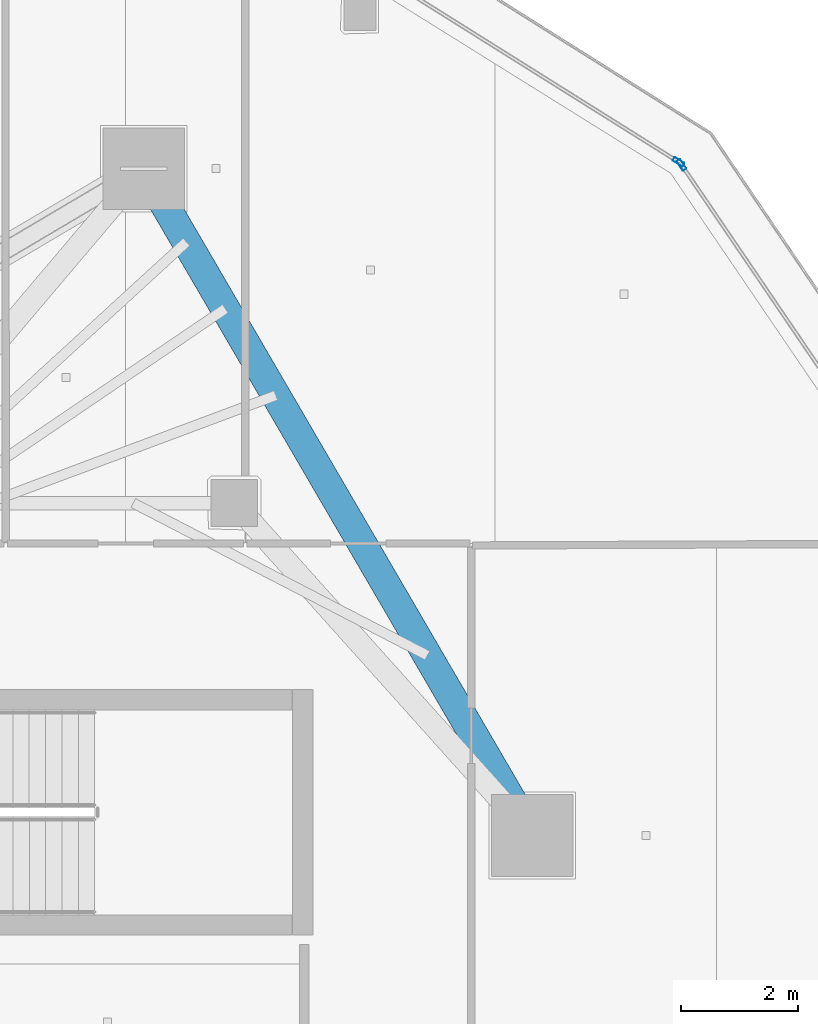
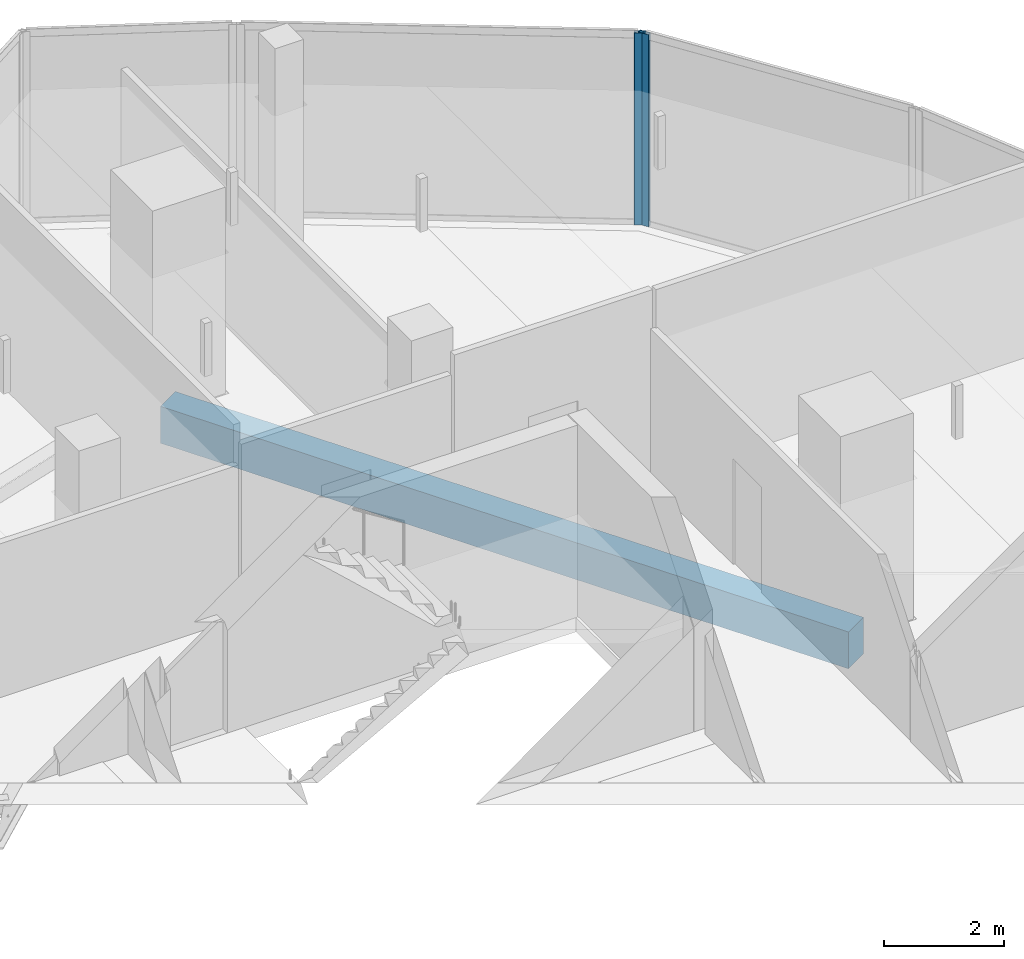
# One storey, part 18 of 30: 2 members, 1 beam, 2 elements without a shape of their own.
"""IFC4 building model written with IfcOpenShell, lengths in metres."""

from ifc_helpers import new_model, si_unit, direction, frame, origin, origin_2d, place, context, subcontext, project, spatial, rectangle, hollow_rectangle, extrude, material, layer, layer_set, material_profile, profile_set, type_object, element, aggregate, save


model = new_model("IFC4")

# Units and contexts
model_context = context("Model", 3, precision=1e-05, world=origin(), true_north=direction((0.0, 1.0)))
body_context = subcontext(model_context, "Body", "Model", "MODEL_VIEW")
ifc_project = project(units=[si_unit("LENGTHUNIT", "METRE"), si_unit("AREAUNIT", "SQUARE_METRE"), si_unit("VOLUMEUNIT", "CUBIC_METRE"), si_unit("PLANEANGLEUNIT", "RADIAN"), si_unit("MASSUNIT", "GRAM", prefix="KILO")], contexts=[model_context])

# Site, building, storey
site_placement = place(None, origin())
site = spatial("IfcSite", under=ifc_project, at=site_placement, CompositionType="ELEMENT")
building_placement = place(site_placement, origin())
building = spatial("IfcBuilding", under=site, at=building_placement, Name="Qorvath Tower", CompositionType="ELEMENT")
storey_placement = place(building_placement, frame((0.0, 0.0, 301.800048828125)))
storey = spatial("IfcBuildingStorey", under=building, at=storey_placement, Name="L70", CompositionType="ELEMENT", Elevation=301.800048828125)

# Beam
ifc_material_1 = material(Name="Concrete C45/55", Category="concrete")
ifc_material_profile_1 = material_profile(ifc_material_1, rectangle(XDim=0.5, YDim=0.75, at=origin_2d()), Name="RCB 750x500")
ifc_profile_set_1 = profile_set([ifc_material_profile_1], Name="Concrete C45/55")
beam_type = type_object("IfcBeamType", Name="BM-RCB3", PredefinedType="SPANDREL", material=ifc_profile_set_1)
beam_placement = place(storey_placement, frame((-12.0966796875, 5.7578125, -0.6650390625), z_axis=(-0.503502256692, 0.863993910572, 0.0), x_axis=(-0.863993910572, -0.503502256692, 0.0)))
element("IfcBeam", 1, at=beam_placement, inside=storey, type_object=beam_type, Name="Perimeter Loggia Frame Beam MC5-MC6 L70", PredefinedType="SPANDREL", context=body_context, shape_type="SweptSolid", body=[
    extrude(rectangle(XDim=0.5, YDim=0.75, at=origin_2d()), origin(), (0.0, 0.0, 1.0), 13.215087890625),
])

# Curtain wall, member
ifc_material_2 = material(Name="Anodised aluminium and triple low-E glass", Category="aluminium")
ifc_layer = layer(ifc_material_2, 0.179931640625)
ifc_layer_set = layer_set([ifc_layer], Name="CW-SYS-4")
curtain_wall_type = type_object("IfcCurtainWallType", Name="CW-SYS-4", PredefinedType="NOTDEFINED", material=ifc_layer_set)
curtain_wall_1_placement = place(storey_placement, origin())
curtain_wall_1 = element("IfcCurtainWall", 2, at=curtain_wall_1_placement, inside=storey, type_object=curtain_wall_type, Name="Curtain Wall CW-4 CW-T-L70-13.1", PredefinedType="NOTDEFINED")
ifc_material_3 = material(Name="Anodised aluminium 6063-T6", Category="aluminium")
ifc_material_profile_2 = material_profile(ifc_material_3, hollow_rectangle(XDim=0.074951171875, YDim=0.199951171875, WallThickness=0.00390625, InnerFilletRadius=0.00390625, OuterFilletRadius=0.008056640625, at=origin_2d()), Name="CWM 200x75")
ifc_profile_set_2 = profile_set([ifc_material_profile_2], Name="Anodised aluminium 6063-T6")
member_type = type_object("IfcMemberType", Name="CWM-200", PredefinedType="MULLION", material=ifc_profile_set_2)
member_1_placement = place(storey_placement, frame((-9.541259765625, 17.239990234375, 0.0), z_axis=(0.0, 0.0, 1.0), x_axis=(-0.827119229708, -0.562026493901, 0.0)))
member_1 = element("IfcMember", 3, at=member_1_placement, type_object=member_type, Name="CW-4 mullion 2", PredefinedType="MULLION", context=body_context, shape_type="SweptSolid", body=[
    extrude(hollow_rectangle(XDim=0.074951171875, YDim=0.199951171875, WallThickness=0.00390625, InnerFilletRadius=0.00390625, OuterFilletRadius=0.008056640625, at=origin_2d()), origin(), (0.0, 0.0, 1.0), 3.909912109375),
])
aggregate(curtain_wall_1, [member_1])

curtain_wall_2_placement = place(storey_placement, origin())
curtain_wall_2 = element("IfcCurtainWall", 4, at=curtain_wall_2_placement, inside=storey, type_object=curtain_wall_type, Name="Curtain Wall CW-4 CW-T-L70-14.1", PredefinedType="NOTDEFINED")
member_2_placement = place(storey_placement, frame((-9.593994140625, 17.291015625, 0.0), z_axis=(0.0, 0.0, 1.0), x_axis=(-0.531381562568, -0.847132595857, 0.0)))
member_2 = element("IfcMember", 5, at=member_2_placement, type_object=member_type, Name="CW-4 mullion 1", PredefinedType="MULLION", context=body_context, shape_type="SweptSolid", body=[
    extrude(hollow_rectangle(XDim=0.074951171875, YDim=0.199951171875, WallThickness=0.00390625, InnerFilletRadius=0.00390625, OuterFilletRadius=0.008056640625, at=origin_2d()), origin(), (0.0, 0.0, 1.0), 3.909912109375),
])
aggregate(curtain_wall_2, [member_2])

save(model, "model.ifc")
